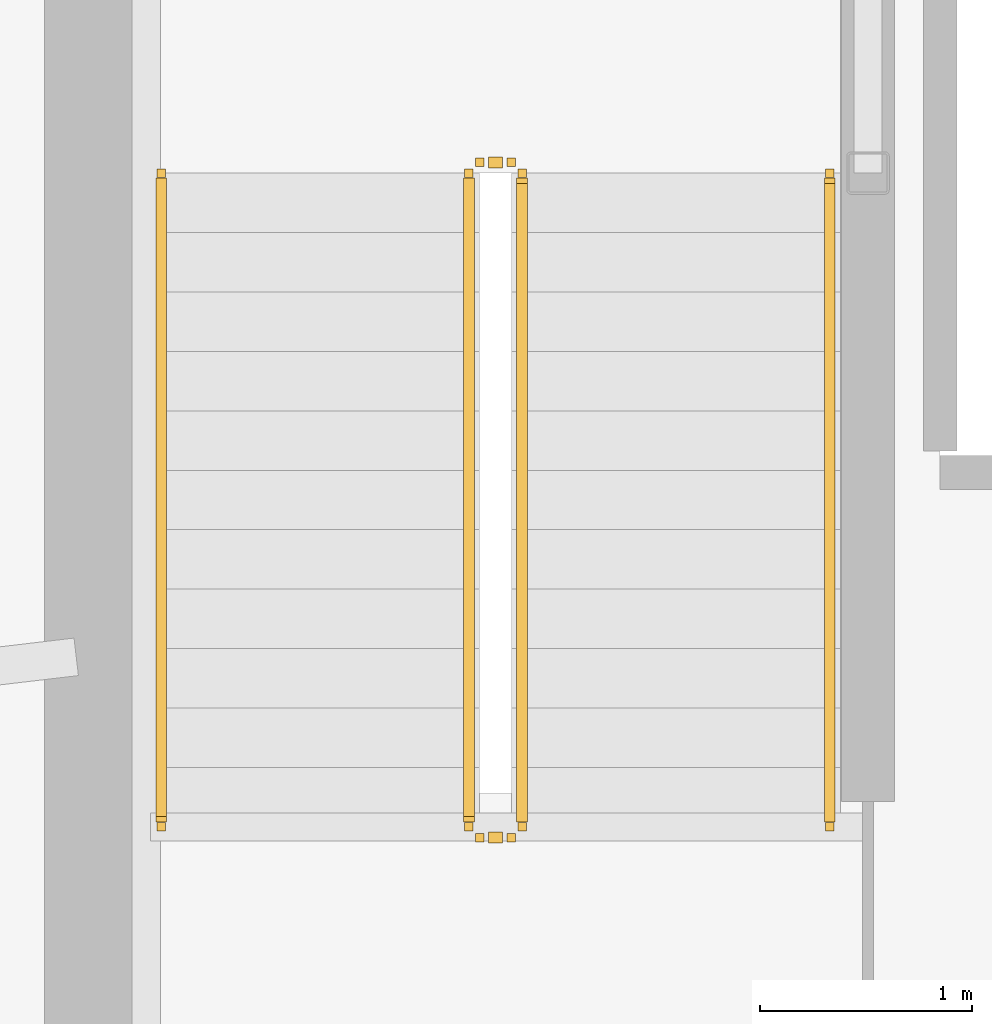
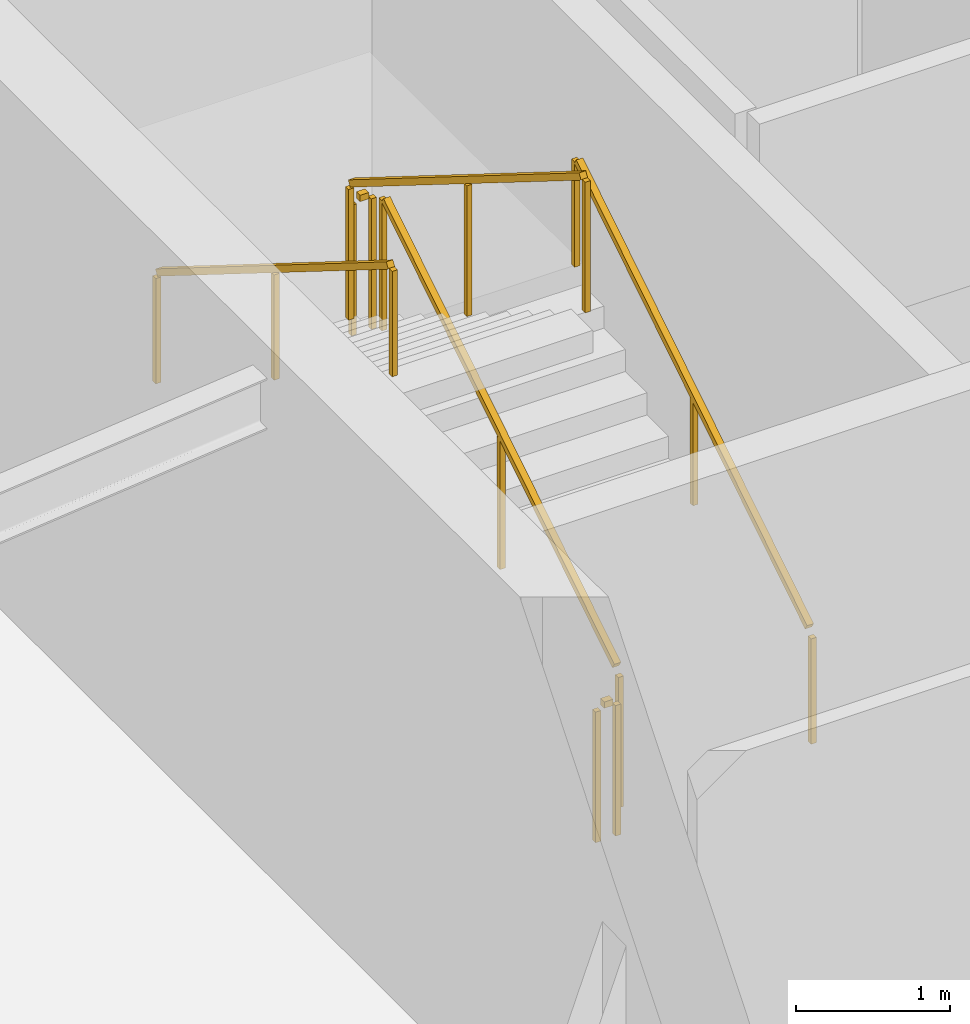
# One storey, part 17 of 20: 6 railings.
"""IFC4 building model written with IfcOpenShell, lengths in metres."""

from ifc_helpers import new_model, si_unit, direction, frame, origin, origin_2d, place, context, subcontext, project, spatial, rectangle, extrude, material, type_object, element, save


model = new_model("IFC4")

# Units and contexts
model_context = context("Model", 3, precision=1e-05, world=origin(), true_north=direction((0.0, 1.0)))
body_context = subcontext(model_context, "Body", "Model", "MODEL_VIEW")
ifc_project = project(units=[si_unit("LENGTHUNIT", "METRE"), si_unit("AREAUNIT", "SQUARE_METRE"), si_unit("VOLUMEUNIT", "CUBIC_METRE"), si_unit("PLANEANGLEUNIT", "RADIAN"), si_unit("MASSUNIT", "GRAM", prefix="KILO")], contexts=[model_context])

# Site, building, storey
site_placement = place(None, origin())
site = spatial("IfcSite", under=ifc_project, at=site_placement, CompositionType="ELEMENT")
building_placement = place(site_placement, origin())
building = spatial("IfcBuilding", under=site, at=building_placement, Name="Kazma Halo Residences", CompositionType="ELEMENT")
storey_placement = place(building_placement, frame((0.0, 0.0, 317.89990234375)))
storey = spatial("IfcBuildingStorey", under=building, at=storey_placement, Name="L80", CompositionType="ELEMENT", Elevation=317.89990234375)

# Railings
ifc_material_1 = material(Name="Painted Steel S355", Category="steel")
railing_type_1 = type_object("IfcRailingType", Name="RLG-STAIR-GRD-1100", PredefinedType="GUARDRAIL", material=ifc_material_1)
railing_1_placement = place(storey_placement, frame((39.550048828125, 39.949951171875, 0.175048828125)))
element("IfcRailing", 1, at=railing_1_placement, inside=storey, type_object=railing_type_1, Name="L80 ST-01 stair guard 1", PredefinedType="GUARDRAIL", context=body_context, shape_type="SweptSolid", body=[
    extrude(rectangle(XDim=0.050048828125, YDim=0.050048828125, at=origin_2d()), frame((0.0, 0.0361328125, 1.09765625), z_axis=(0.0, 0.847998304005, 0.529998940003), x_axis=(-1.0, 0.0, 0.0)), (0.0, 0.0, 1.0), 3.547119140625),
    extrude(rectangle(XDim=0.0400390625, YDim=0.0400390625, at=origin_2d()), origin(), (0.0, 0.0, 1.0), 1.0380859375),
    extrude(rectangle(XDim=0.0400390625, YDim=0.0400390625, at=origin_2d()), frame((0.0, 1.5400390625, 0.96240234375)), (0.0, 0.0, 1.0), 1.0380859375),
    extrude(rectangle(XDim=0.0400390625, YDim=0.0400390625, at=origin_2d()), frame((0.0, 3.080078125, 1.925048828125)), (0.0, 0.0, 1.0), 1.0380859375),
])
railing_2_placement = place(storey_placement, frame((39.5, 43.080078125, 2.10009765625)))
element("IfcRailing", 2, at=railing_2_placement, inside=storey, type_object=railing_type_1, Name="L80 ST-01 stair guard 2", PredefinedType="GUARDRAIL", context=body_context, shape_type="SweptSolid", body=[
    extrude(rectangle(XDim=0.050048828125, YDim=0.050048828125, at=origin_2d()), frame((-0.04248046875, 0.0, 1.0751953125), z_axis=(-1.0, 0.0, 0.0), x_axis=(0.0, -1.0, 0.0)), (0.0, 0.0, 1.0), 0.06494140625),
    extrude(rectangle(XDim=0.0400390625, YDim=0.0400390625, at=origin_2d()), origin(), (0.0, 0.0, 1.0), 1.0380859375),
    extrude(rectangle(XDim=0.0400390625, YDim=0.0400390625, at=origin_2d()), frame((-0.14990234375, 0.0, 0.0)), (0.0, 0.0, 1.0), 1.0380859375),
])
railing_3_placement = place(storey_placement, frame((39.300048828125, 43.030029296875, 2.275146484375)))
element("IfcRailing", 3, at=railing_3_placement, inside=storey, type_object=railing_type_1, Name="L80 ST-01 stair guard 3", PredefinedType="GUARDRAIL", context=body_context, shape_type="SweptSolid", body=[
    extrude(rectangle(XDim=0.050048828125, YDim=0.050048828125, at=origin_2d()), frame((0.0, -0.0361328125, 1.09765625), z_axis=(0.0, -0.847998304005, 0.529998940003), x_axis=(1.0, 0.0, 0.0)), (0.0, 0.0, 1.0), 3.547119140625),
    extrude(rectangle(XDim=0.0400390625, YDim=0.0400390625, at=origin_2d()), origin(), (0.0, 0.0, 1.0), 1.0380859375),
    extrude(rectangle(XDim=0.0400390625, YDim=0.0400390625, at=origin_2d()), frame((0.0, -1.5400390625, 0.96240234375)), (0.0, 0.0, 1.0), 1.0380859375),
    extrude(rectangle(XDim=0.0400390625, YDim=0.0400390625, at=origin_2d()), frame((0.0, -3.080078125, 1.925048828125)), (0.0, 0.0, 1.0), 1.0380859375),
])
railing_4_placement = place(storey_placement, frame((39.5, 39.89990234375, 0.0)))
element("IfcRailing", 4, at=railing_4_placement, inside=storey, type_object=railing_type_1, Name="L80 ST-01 stair guard 4", PredefinedType="GUARDRAIL", context=body_context, shape_type="SweptSolid", body=[
    extrude(rectangle(XDim=0.050048828125, YDim=0.050048828125, at=origin_2d()), frame((-0.04248046875, 0.0, 1.0751953125), z_axis=(-1.0, 0.0, 0.0), x_axis=(0.0, -1.0, 0.0)), (0.0, 0.0, 1.0), 0.06494140625),
    extrude(rectangle(XDim=0.0400390625, YDim=0.0400390625, at=origin_2d()), origin(), (0.0, 0.0, 1.0), 1.0380859375),
    extrude(rectangle(XDim=0.0400390625, YDim=0.0400390625, at=origin_2d()), frame((-0.14990234375, 0.0, 0.0)), (0.0, 0.0, 1.0), 1.0380859375),
])
ifc_material_2 = material(Name="Brushed Stainless Steel", Category="steel")
railing_type_2 = type_object("IfcRailingType", Name="RLG-STAIR-HND-900", PredefinedType="HANDRAIL", material=ifc_material_2)
railing_5_placement = place(storey_placement, frame((41.0, 39.949951171875, 0.175048828125)))
element("IfcRailing", 5, at=railing_5_placement, inside=storey, type_object=railing_type_2, Name="L80 ST-01 stair handrail 1", PredefinedType="HANDRAIL", context=body_context, shape_type="SweptSolid", body=[
    extrude(rectangle(XDim=0.050048828125, YDim=0.050048828125, at=origin_2d()), frame((0.0, 0.0361328125, 0.8974609375), z_axis=(0.0, 0.847998304005, 0.529998940003), x_axis=(-1.0, 0.0, 0.0)), (0.0, 0.0, 1.0), 3.547119140625),
    extrude(rectangle(XDim=0.0400390625, YDim=0.0400390625, at=origin_2d()), origin(), (0.0, 0.0, 1.0), 0.837890625),
    extrude(rectangle(XDim=0.0400390625, YDim=0.0400390625, at=origin_2d()), frame((0.0, 1.5400390625, 0.96240234375)), (0.0, 0.0, 1.0), 0.837890625),
    extrude(rectangle(XDim=0.0400390625, YDim=0.0400390625, at=origin_2d()), frame((0.0, 3.080078125, 1.925048828125)), (0.0, 0.0, 1.0), 0.837890625),
])
railing_6_placement = place(storey_placement, frame((37.85009765625, 43.030029296875, 2.275146484375)))
element("IfcRailing", 6, at=railing_6_placement, inside=storey, type_object=railing_type_2, Name="L80 ST-01 stair handrail 2", PredefinedType="HANDRAIL", context=body_context, shape_type="SweptSolid", body=[
    extrude(rectangle(XDim=0.050048828125, YDim=0.050048828125, at=origin_2d()), frame((0.0, -0.0361328125, 0.8974609375), z_axis=(0.0, -0.847998304005, 0.529998940003), x_axis=(1.0, 0.0, 0.0)), (0.0, 0.0, 1.0), 3.547119140625),
    extrude(rectangle(XDim=0.0400390625, YDim=0.0400390625, at=origin_2d()), origin(), (0.0, 0.0, 1.0), 0.837890625),
    extrude(rectangle(XDim=0.0400390625, YDim=0.0400390625, at=origin_2d()), frame((0.0, -1.5400390625, 0.96240234375)), (0.0, 0.0, 1.0), 0.837890625),
    extrude(rectangle(XDim=0.0400390625, YDim=0.0400390625, at=origin_2d()), frame((0.0, -3.080078125, 1.925048828125)), (0.0, 0.0, 1.0), 0.837890625),
])

save(model, "model.ifc")
